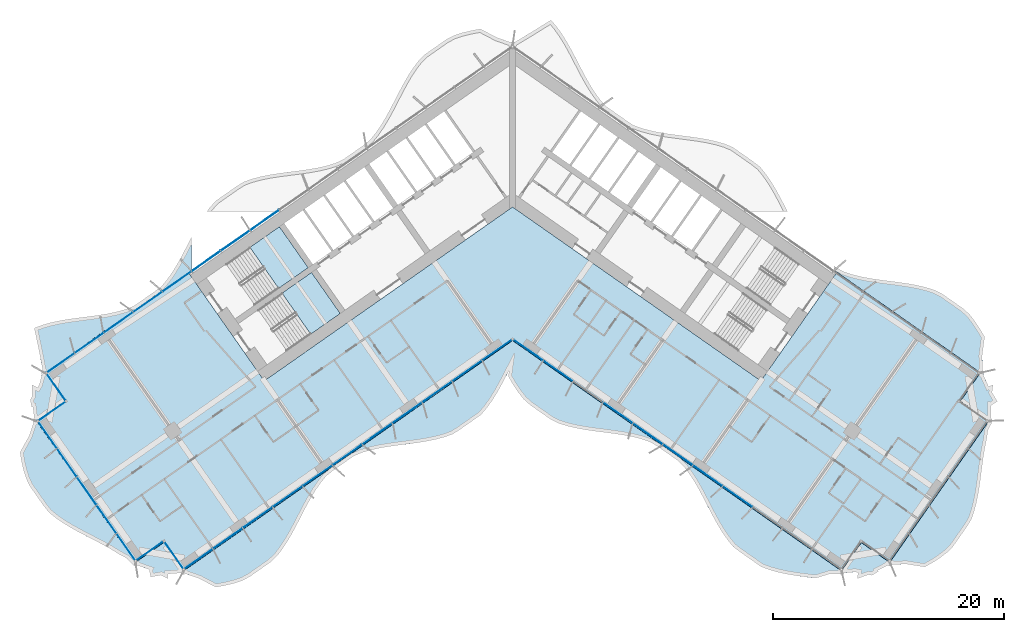
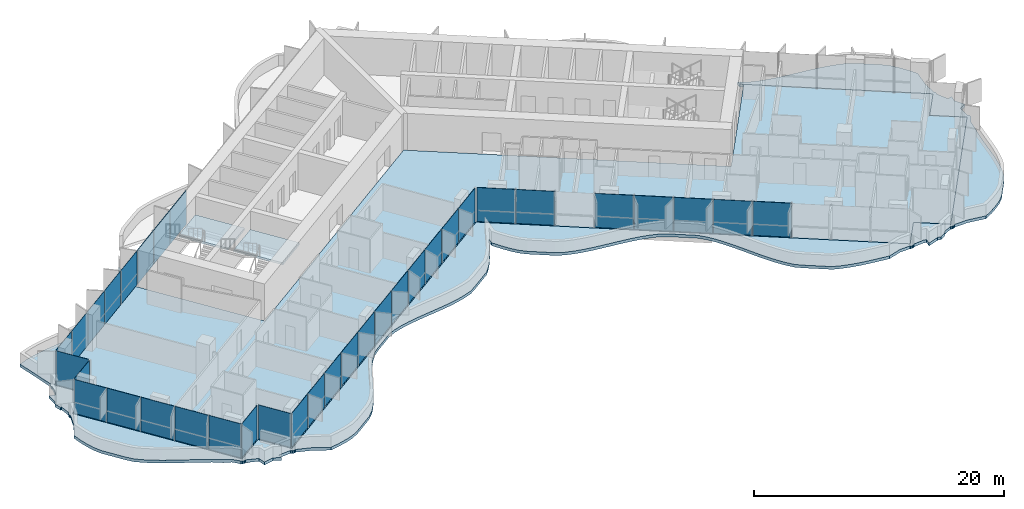
# One storey, part 10 of 23: 35 plates, 4 slabs, 4 elements without a shape of their own.
"""IFC4 building model written with IfcOpenShell, lengths in metres."""

from ifc_helpers import new_model, si_unit, direction, frame, origin, origin_2d, place, context, subcontext, project, spatial, polyline, rectangle, outline, extrude, material, layer, layer_set, type_object, element, aggregate, save


model = new_model("IFC4")

# Units and contexts
model_context = context("Model", 3, precision=1e-05, world=origin(), true_north=direction((0.0, 1.0)))
body_context = subcontext(model_context, "Body", "Model", "MODEL_VIEW")
ifc_project = project(units=[si_unit("LENGTHUNIT", "METRE"), si_unit("AREAUNIT", "SQUARE_METRE"), si_unit("VOLUMEUNIT", "CUBIC_METRE"), si_unit("PLANEANGLEUNIT", "RADIAN"), si_unit("MASSUNIT", "GRAM", prefix="KILO")], contexts=[model_context])

# Site, building, storey
site_placement = place(None, origin())
site = spatial("IfcSite", under=ifc_project, at=site_placement, CompositionType="ELEMENT")
building_placement = place(site_placement, origin())
building = spatial("IfcBuilding", under=site, at=building_placement, Name="Tel Ilan Convention Tower", CompositionType="ELEMENT")
storey_placement = place(building_placement, frame((0.0, 0.0, 119.300048828125)))
storey = spatial("IfcBuildingStorey", under=building, at=storey_placement, Name="L26", CompositionType="ELEMENT", Elevation=119.300048828125)

# Curtain wall, plates
ifc_material_1 = material(Name="Aluminium, bronze anodised", Category="aluminium")
curtain_wall_type_1 = type_object("IfcCurtainWallType", Name="CW1 UNITISED CURTAIN WALL, HOTEL TINTED GLASS", PredefinedType="NOTDEFINED", material=ifc_material_1)
curtain_wall_1_placement = place(storey_placement, origin())
curtain_wall_1 = element("IfcCurtainWall", 1, at=curtain_wall_1_placement, inside=storey, type_object=curtain_wall_type_1, Name="Curtain wall CW1-20.02", PredefinedType="NOTDEFINED")
ifc_material_2 = material(Name="Glass, bronze tinted, two-ply unitised", Category="glass")
ifc_layer_1 = layer(ifc_material_2, 0.028076171875)
ifc_layer_set_1 = layer_set([ifc_layer_1], Name="CW HOTEL GLASS PANEL 28")
plate_type_1 = type_object("IfcPlateType", Name="CW HOTEL GLASS PANEL 28", PredefinedType="CURTAIN_PANEL", material=ifc_layer_set_1)
plate_1_placement = place(storey_placement, frame((-29.1171875, -7.692138671875, 0.0), z_axis=(0.0, 0.0, 1.0), x_axis=(-0.819152044289, -0.573576436351, 0.0)))
plate_1 = element("IfcPlate", 2, at=plate_1_placement, type_object=plate_type_1, Name="Glass panel", PredefinedType="CURTAIN_PANEL", context=body_context, shape_type="SweptSolid", body=[
    extrude(rectangle(XDim=3.037109375, YDim=0.028076171875, at=origin_2d()), origin(), (0.0, 0.0, 1.0), 3.320068359375),
])
plate_2_placement = place(storey_placement, frame((-31.654296875, -9.468505859375, 0.0), z_axis=(0.0, 0.0, 1.0), x_axis=(-0.819152044289, -0.573576436351, 0.0)))
plate_2 = element("IfcPlate", 3, at=plate_2_placement, type_object=plate_type_1, Name="Glass panel", PredefinedType="CURTAIN_PANEL", context=body_context, shape_type="SweptSolid", body=[
    extrude(rectangle(XDim=3.037109375, YDim=0.028076171875, at=origin_2d()), origin(), (0.0, 0.0, 1.0), 3.320068359375),
])
plate_3_placement = place(storey_placement, frame((-34.191162109375, -11.244873046875, 0.0), z_axis=(0.0, 0.0, 1.0), x_axis=(-0.819152044289, -0.573576436351, 0.0)))
plate_3 = element("IfcPlate", 4, at=plate_3_placement, type_object=plate_type_1, Name="Glass panel", PredefinedType="CURTAIN_PANEL", context=body_context, shape_type="SweptSolid", body=[
    extrude(rectangle(XDim=3.037109375, YDim=0.028076171875, at=origin_2d()), origin(), (0.0, 0.0, 1.0), 3.320068359375),
])
plate_4_placement = place(storey_placement, frame((-36.72802734375, -13.021240234375, 0.0), z_axis=(0.0, 0.0, 1.0), x_axis=(-0.819152044289, -0.573576436351, 0.0)))
plate_4 = element("IfcPlate", 5, at=plate_4_placement, type_object=plate_type_1, Name="Glass panel", PredefinedType="CURTAIN_PANEL", context=body_context, shape_type="SweptSolid", body=[
    extrude(rectangle(XDim=3.037109375, YDim=0.028076171875, at=origin_2d()), origin(), (0.0, 0.0, 1.0), 3.320068359375),
])
plate_5_placement = place(storey_placement, frame((-39.2265625, -14.7705078125, 0.0), z_axis=(0.0, 0.0, 1.0), x_axis=(-0.819152044289, -0.573576436351, 0.0)))
plate_5 = element("IfcPlate", 6, at=plate_5_placement, type_object=plate_type_1, Name="Glass panel", PredefinedType="CURTAIN_PANEL", context=body_context, shape_type="SweptSolid", body=[
    extrude(rectangle(XDim=2.943115234375, YDim=0.028076171875, at=origin_2d()), origin(), (0.0, 0.0, 1.0), 3.320068359375),
])
plate_6_placement = place(storey_placement, frame((-39.61328125, -16.82568359375, 0.0), z_axis=(0.0, 0.0, 1.0), x_axis=(0.573576436351, -0.819152044289, 0.0)))
plate_6 = element("IfcPlate", 7, at=plate_6_placement, type_object=plate_type_1, Name="Glass panel", PredefinedType="CURTAIN_PANEL", context=body_context, shape_type="SweptSolid", body=[
    extrude(rectangle(XDim=2.875, YDim=0.028076171875, at=origin_2d()), origin(), (0.0, 0.0, 1.0), 3.320068359375),
])
plate_7_placement = place(storey_placement, frame((-39.990966796875, -18.96826171875, 0.0), z_axis=(0.0, 0.0, 1.0), x_axis=(-0.819152044289, -0.573576436351, 0.0)))
plate_7 = element("IfcPlate", 8, at=plate_7_placement, type_object=plate_type_1, Name="Glass panel", PredefinedType="CURTAIN_PANEL", context=body_context, shape_type="SweptSolid", body=[
    extrude(rectangle(XDim=2.875, YDim=0.028076171875, at=origin_2d()), origin(), (0.0, 0.0, 1.0), 3.320068359375),
])
plate_8_placement = place(storey_placement, frame((-40.358154296875, -20.991943359375, 0.0), z_axis=(0.0, 0.0, 1.0), x_axis=(0.573576436351, -0.819152044289, 0.0)))
plate_8 = element("IfcPlate", 9, at=plate_8_placement, type_object=plate_type_1, Name="Glass panel", PredefinedType="CURTAIN_PANEL", context=body_context, shape_type="SweptSolid", body=[
    extrude(rectangle(XDim=2.845947265625, YDim=0.028076171875, at=origin_2d()), origin(), (0.0, 0.0, 1.0), 3.320068359375),
])
plate_9_placement = place(storey_placement, frame((-38.66455078125, -23.410888671875, 0.0), z_axis=(0.0, 0.0, 1.0), x_axis=(0.573576436351, -0.819152044289, 0.0)))
plate_9 = element("IfcPlate", 10, at=plate_9_placement, type_object=plate_type_1, Name="Glass panel", PredefinedType="CURTAIN_PANEL", context=body_context, shape_type="SweptSolid", body=[
    extrude(rectangle(XDim=2.93994140625, YDim=0.028076171875, at=origin_2d()), origin(), (0.0, 0.0, 1.0), 3.320068359375),
])
plate_10_placement = place(storey_placement, frame((-36.94384765625, -25.868408203125, 0.0), z_axis=(0.0, 0.0, 1.0), x_axis=(0.573576436351, -0.819152044289, 0.0)))
plate_10 = element("IfcPlate", 11, at=plate_10_placement, type_object=plate_type_1, Name="Glass panel", PredefinedType="CURTAIN_PANEL", context=body_context, shape_type="SweptSolid", body=[
    extrude(rectangle(XDim=2.93994140625, YDim=0.028076171875, at=origin_2d()), origin(), (0.0, 0.0, 1.0), 3.320068359375),
])
plate_11_placement = place(storey_placement, frame((-35.22314453125, -28.32568359375, 0.0), z_axis=(0.0, 0.0, 1.0), x_axis=(0.573576436351, -0.819152044289, 0.0)))
plate_11 = element("IfcPlate", 12, at=plate_11_placement, type_object=plate_type_1, Name="Glass panel", PredefinedType="CURTAIN_PANEL", context=body_context, shape_type="SweptSolid", body=[
    extrude(rectangle(XDim=2.93994140625, YDim=0.028076171875, at=origin_2d()), origin(), (0.0, 0.0, 1.0), 3.320068359375),
])
plate_12_placement = place(storey_placement, frame((-33.529296875, -30.74462890625, 0.0), z_axis=(0.0, 0.0, 1.0), x_axis=(0.573576436351, -0.819152044289, 0.0)))
plate_12 = element("IfcPlate", 13, at=plate_12_placement, type_object=plate_type_1, Name="Glass panel", PredefinedType="CURTAIN_PANEL", context=body_context, shape_type="SweptSolid", body=[
    extrude(rectangle(XDim=2.845947265625, YDim=0.028076171875, at=origin_2d()), origin(), (0.0, 0.0, 1.0), 3.320068359375),
])
plate_13_placement = place(storey_placement, frame((-31.502197265625, -31.091796875, 0.0), z_axis=(0.0, 0.0, 1.0), x_axis=(0.819152044289, 0.573576436351, 0.0)))
plate_13 = element("IfcPlate", 14, at=plate_13_placement, type_object=plate_type_1, Name="Glass panel", PredefinedType="CURTAIN_PANEL", context=body_context, shape_type="SweptSolid", body=[
    extrude(rectangle(XDim=2.875, YDim=0.028076171875, at=origin_2d()), origin(), (0.0, 0.0, 1.0), 3.320068359375),
])
plate_14_placement = place(storey_placement, frame((-29.359375, -31.469482421875, 0.0), z_axis=(0.0, 0.0, 1.0), x_axis=(0.573576436351, -0.819152044289, 0.0)))
plate_14 = element("IfcPlate", 15, at=plate_14_placement, type_object=plate_type_1, Name="Glass panel", PredefinedType="CURTAIN_PANEL", context=body_context, shape_type="SweptSolid", body=[
    extrude(rectangle(XDim=2.875, YDim=0.028076171875, at=origin_2d()), origin(), (0.0, 0.0, 1.0), 3.320068359375),
])
plate_15_placement = place(storey_placement, frame((-27.26708984375, -31.78857421875, 0.0), z_axis=(0.0, 0.0, 1.0), x_axis=(0.819152044289, 0.573576436351, 0.0)))
plate_15 = element("IfcPlate", 16, at=plate_15_placement, type_object=plate_type_1, Name="Glass panel", PredefinedType="CURTAIN_PANEL", context=body_context, shape_type="SweptSolid", body=[
    extrude(rectangle(XDim=3.013916015625, YDim=0.028076171875, at=origin_2d()), origin(), (0.0, 0.0, 1.0), 3.320068359375),
])
plate_16_placement = place(storey_placement, frame((-24.71044921875, -29.99853515625, 0.0), z_axis=(0.0, 0.0, 1.0), x_axis=(0.819152044289, 0.573576436351, 0.0)))
plate_16 = element("IfcPlate", 17, at=plate_16_placement, type_object=plate_type_1, Name="Glass panel", PredefinedType="CURTAIN_PANEL", context=body_context, shape_type="SweptSolid", body=[
    extrude(rectangle(XDim=3.10791015625, YDim=0.028076171875, at=origin_2d()), origin(), (0.0, 0.0, 1.0), 3.320068359375),
])
plate_17_placement = place(storey_placement, frame((-22.115478515625, -28.181396484375, 0.0), z_axis=(0.0, 0.0, 1.0), x_axis=(0.819152044289, 0.573576436351, 0.0)))
plate_17 = element("IfcPlate", 18, at=plate_17_placement, type_object=plate_type_1, Name="Glass panel", PredefinedType="CURTAIN_PANEL", context=body_context, shape_type="SweptSolid", body=[
    extrude(rectangle(XDim=3.10791015625, YDim=0.028076171875, at=origin_2d()), origin(), (0.0, 0.0, 1.0), 3.320068359375),
])
plate_18_placement = place(storey_placement, frame((-19.520263671875, -26.3642578125, 0.0), z_axis=(0.0, 0.0, 1.0), x_axis=(0.819152044289, 0.573576436351, 0.0)))
plate_18 = element("IfcPlate", 19, at=plate_18_placement, type_object=plate_type_1, Name="Glass panel", PredefinedType="CURTAIN_PANEL", context=body_context, shape_type="SweptSolid", body=[
    extrude(rectangle(XDim=3.10791015625, YDim=0.028076171875, at=origin_2d()), origin(), (0.0, 0.0, 1.0), 3.320068359375),
])
plate_19_placement = place(storey_placement, frame((-16.92529296875, -24.54736328125, 0.0), z_axis=(0.0, 0.0, 1.0), x_axis=(0.819152044289, 0.573576436351, 0.0)))
plate_19 = element("IfcPlate", 20, at=plate_19_placement, type_object=plate_type_1, Name="Glass panel", PredefinedType="CURTAIN_PANEL", context=body_context, shape_type="SweptSolid", body=[
    extrude(rectangle(XDim=3.10791015625, YDim=0.028076171875, at=origin_2d()), origin(), (0.0, 0.0, 1.0), 3.320068359375),
])
plate_20_placement = place(storey_placement, frame((-14.330078125, -22.730224609375, 0.0), z_axis=(0.0, 0.0, 1.0), x_axis=(0.819152044289, 0.573576436351, 0.0)))
plate_20 = element("IfcPlate", 21, at=plate_20_placement, type_object=plate_type_1, Name="Glass panel", PredefinedType="CURTAIN_PANEL", context=body_context, shape_type="SweptSolid", body=[
    extrude(rectangle(XDim=3.10791015625, YDim=0.028076171875, at=origin_2d()), origin(), (0.0, 0.0, 1.0), 3.320068359375),
])
plate_21_placement = place(storey_placement, frame((-11.735107421875, -20.9130859375, 0.0), z_axis=(0.0, 0.0, 1.0), x_axis=(0.819152044289, 0.573576436351, 0.0)))
plate_21 = element("IfcPlate", 22, at=plate_21_placement, type_object=plate_type_1, Name="Glass panel", PredefinedType="CURTAIN_PANEL", context=body_context, shape_type="SweptSolid", body=[
    extrude(rectangle(XDim=3.10791015625, YDim=0.028076171875, at=origin_2d()), origin(), (0.0, 0.0, 1.0), 3.320068359375),
])
plate_22_placement = place(storey_placement, frame((-9.14013671875, -19.095947265625, 0.0), z_axis=(0.0, 0.0, 1.0), x_axis=(0.819152044289, 0.573576436351, 0.0)))
plate_22 = element("IfcPlate", 23, at=plate_22_placement, type_object=plate_type_1, Name="Glass panel", PredefinedType="CURTAIN_PANEL", context=body_context, shape_type="SweptSolid", body=[
    extrude(rectangle(XDim=3.10791015625, YDim=0.028076171875, at=origin_2d()), origin(), (0.0, 0.0, 1.0), 3.320068359375),
])
plate_23_placement = place(storey_placement, frame((-6.544921875, -17.27880859375, 0.0), z_axis=(0.0, 0.0, 1.0), x_axis=(0.819152044289, 0.573576436351, 0.0)))
plate_23 = element("IfcPlate", 24, at=plate_23_placement, type_object=plate_type_1, Name="Glass panel", PredefinedType="CURTAIN_PANEL", context=body_context, shape_type="SweptSolid", body=[
    extrude(rectangle(XDim=3.10791015625, YDim=0.028076171875, at=origin_2d()), origin(), (0.0, 0.0, 1.0), 3.320068359375),
])
plate_24_placement = place(storey_placement, frame((-3.949951171875, -15.4619140625, 0.0), z_axis=(0.0, 0.0, 1.0), x_axis=(0.819152044289, 0.573576436351, 0.0)))
plate_24 = element("IfcPlate", 25, at=plate_24_placement, type_object=plate_type_1, Name="Glass panel", PredefinedType="CURTAIN_PANEL", context=body_context, shape_type="SweptSolid", body=[
    extrude(rectangle(XDim=3.10791015625, YDim=0.028076171875, at=origin_2d()), origin(), (0.0, 0.0, 1.0), 3.320068359375),
])
plate_25_placement = place(storey_placement, frame((-1.355224609375, -13.64501953125, 0.0), z_axis=(0.0, 0.0, 1.0), x_axis=(0.819152044289, 0.573576436351, 0.0)))
plate_25 = element("IfcPlate", 26, at=plate_25_placement, type_object=plate_type_1, Name="Glass panel", PredefinedType="CURTAIN_PANEL", context=body_context, shape_type="SweptSolid", body=[
    extrude(rectangle(XDim=3.10693359375, YDim=0.028076171875, at=origin_2d()), origin(), (0.0, 0.0, 1.0), 3.320068359375),
])
plate_26_placement = place(storey_placement, frame((1.366943359375, -13.653076171875, 0.0), z_axis=(0.0, 0.0, 1.0), x_axis=(0.819152044289, -0.573576436351, 0.0)))
plate_26 = element("IfcPlate", 27, at=plate_26_placement, type_object=plate_type_1, Name="Glass panel", PredefinedType="CURTAIN_PANEL", context=body_context, shape_type="SweptSolid", body=[
    extrude(rectangle(XDim=3.078857421875, YDim=0.028076171875, at=origin_2d()), origin(), (0.0, 0.0, 1.0), 3.320068359375),
])
plate_27_placement = place(storey_placement, frame((3.949951171875, -15.4619140625, 0.0), z_axis=(0.0, 0.0, 1.0), x_axis=(0.819152044289, -0.573576436351, 0.0)))
plate_27 = element("IfcPlate", 28, at=plate_27_placement, type_object=plate_type_1, Name="Glass panel", PredefinedType="CURTAIN_PANEL", context=body_context, shape_type="SweptSolid", body=[
    extrude(rectangle(XDim=3.10791015625, YDim=0.028076171875, at=origin_2d()), origin(), (0.0, 0.0, 1.0), 3.320068359375),
])
plate_28_placement = place(storey_placement, frame((9.14013671875, -19.095947265625, 0.0), z_axis=(0.0, 0.0, 1.0), x_axis=(0.819152044289, -0.573576436351, 0.0)))
plate_28 = element("IfcPlate", 29, at=plate_28_placement, type_object=plate_type_1, Name="Glass panel", PredefinedType="CURTAIN_PANEL", context=body_context, shape_type="SweptSolid", body=[
    extrude(rectangle(XDim=3.10791015625, YDim=0.028076171875, at=origin_2d()), origin(), (0.0, 0.0, 1.0), 3.320068359375),
])
plate_29_placement = place(storey_placement, frame((11.735107421875, -20.9130859375, 0.0), z_axis=(0.0, 0.0, 1.0), x_axis=(0.819152044289, -0.573576436351, 0.0)))
plate_29 = element("IfcPlate", 30, at=plate_29_placement, type_object=plate_type_1, Name="Glass panel", PredefinedType="CURTAIN_PANEL", context=body_context, shape_type="SweptSolid", body=[
    extrude(rectangle(XDim=3.10791015625, YDim=0.028076171875, at=origin_2d()), origin(), (0.0, 0.0, 1.0), 3.320068359375),
])
plate_30_placement = place(storey_placement, frame((14.330078125, -22.730224609375, 0.0), z_axis=(0.0, 0.0, 1.0), x_axis=(0.819152044289, -0.573576436351, 0.0)))
plate_30 = element("IfcPlate", 31, at=plate_30_placement, type_object=plate_type_1, Name="Glass panel", PredefinedType="CURTAIN_PANEL", context=body_context, shape_type="SweptSolid", body=[
    extrude(rectangle(XDim=3.10791015625, YDim=0.028076171875, at=origin_2d()), origin(), (0.0, 0.0, 1.0), 3.320068359375),
])
plate_31_placement = place(storey_placement, frame((16.92529296875, -24.54736328125, 0.0), z_axis=(0.0, 0.0, 1.0), x_axis=(0.819152044289, -0.573576436351, 0.0)))
plate_31 = element("IfcPlate", 32, at=plate_31_placement, type_object=plate_type_1, Name="Glass panel", PredefinedType="CURTAIN_PANEL", context=body_context, shape_type="SweptSolid", body=[
    extrude(rectangle(XDim=3.10791015625, YDim=0.028076171875, at=origin_2d()), origin(), (0.0, 0.0, 1.0), 3.320068359375),
])
plate_32_placement = place(storey_placement, frame((19.520263671875, -26.3642578125, 0.0), z_axis=(0.0, 0.0, 1.0), x_axis=(0.819152044289, -0.573576436351, 0.0)))
plate_32 = element("IfcPlate", 33, at=plate_32_placement, type_object=plate_type_1, Name="Glass panel", PredefinedType="CURTAIN_PANEL", context=body_context, shape_type="SweptSolid", body=[
    extrude(rectangle(XDim=3.10791015625, YDim=0.028076171875, at=origin_2d()), origin(), (0.0, 0.0, 1.0), 3.320068359375),
])
aggregate(curtain_wall_1, [plate_1, plate_2, plate_3, plate_4, plate_5, plate_6, plate_7, plate_8, plate_9, plate_10, plate_11, plate_12, plate_13, plate_14, plate_15, plate_16, plate_17, plate_18, plate_19, plate_20, plate_21, plate_22, plate_23, plate_24, plate_25, plate_26, plate_27, plate_28, plate_29, plate_30, plate_31, plate_32])

ifc_material_3 = material(Name="Aluminium, bronze anodised", Category="aluminium")
curtain_wall_type_2 = type_object("IfcCurtainWallType", Name="CW2 STICK CURTAIN WALL, SPANDREL PANELS", PredefinedType="NOTDEFINED", material=ifc_material_3)
curtain_wall_2_placement = place(storey_placement, origin())
curtain_wall_2 = element("IfcCurtainWall", 34, at=curtain_wall_2_placement, inside=storey, type_object=curtain_wall_type_2, Name="Curtain wall CW2-20.01", PredefinedType="NOTDEFINED")
ifc_material_4 = material(Name="Aluminium composite panel, bronze anodised", Category="aluminium")
ifc_layer_2 = layer(ifc_material_4, 0.06005859375)
ifc_layer_set_2 = layer_set([ifc_layer_2], Name="CW SPANDREL PANEL 60")
plate_type_2 = type_object("IfcPlateType", Name="CW SPANDREL PANEL 60", PredefinedType="CURTAIN_PANEL", material=ifc_layer_set_2)
plate_33_placement = place(storey_placement, frame((-21.506591796875, -2.363037109375, 0.0), z_axis=(0.0, 0.0, 1.0), x_axis=(-0.819152044289, -0.573576436351, 0.0)))
plate_33 = element("IfcPlate", 35, at=plate_33_placement, type_object=plate_type_2, Name="Spandrel panel", PredefinedType="CURTAIN_PANEL", context=body_context, shape_type="SweptSolid", body=[
    extrude(rectangle(XDim=3.037109375, YDim=0.06005859375, at=origin_2d()), origin(), (0.0, 0.0, 1.0), 3.320068359375),
])
plate_34_placement = place(storey_placement, frame((-24.04345703125, -4.139404296875, 0.0), z_axis=(0.0, 0.0, 1.0), x_axis=(-0.819152044289, -0.573576436351, 0.0)))
plate_34 = element("IfcPlate", 36, at=plate_34_placement, type_object=plate_type_2, Name="Spandrel panel", PredefinedType="CURTAIN_PANEL", context=body_context, shape_type="SweptSolid", body=[
    extrude(rectangle(XDim=3.037109375, YDim=0.06005859375, at=origin_2d()), origin(), (0.0, 0.0, 1.0), 3.320068359375),
])
plate_35_placement = place(storey_placement, frame((-26.580322265625, -5.915771484375, 0.0), z_axis=(0.0, 0.0, 1.0), x_axis=(-0.819152044289, -0.573576436351, 0.0)))
plate_35 = element("IfcPlate", 37, at=plate_35_placement, type_object=plate_type_2, Name="Spandrel panel", PredefinedType="CURTAIN_PANEL", context=body_context, shape_type="SweptSolid", body=[
    extrude(rectangle(XDim=3.037109375, YDim=0.06005859375, at=origin_2d()), origin(), (0.0, 0.0, 1.0), 3.320068359375),
])
aggregate(curtain_wall_2, [plate_33, plate_34, plate_35])

# Stair, slab
ifc_material_5 = material(Name="Concrete C40/50", Category="concrete")
stair_type = type_object("IfcStairType", Name="Pressurised Exit Stair 20 risers 180 mm", PredefinedType="HALF_TURN_STAIR", material=ifc_material_5)
stair_1_placement = place(storey_placement, origin())
stair_1 = element("IfcStair", 38, at=stair_1_placement, inside=storey, type_object=stair_type, Name="L26 Pressurised Stair S1", PredefinedType="HALF_TURN_STAIR")
ifc_material_6 = material(Name="Concrete C40/50", Category="concrete")
ifc_layer_3 = layer(ifc_material_6, 0.199951171875)
ifc_layer_set_3 = layer_set([ifc_layer_3], Name="Concrete Stair Landing 200 mm C40/50")
slab_type_1 = type_object("IfcSlabType", Name="Concrete Stair Landing 200 mm", PredefinedType="LANDING", material=ifc_layer_set_3)
slab_1_placement = place(storey_placement, frame((0.0, 0.0, 1.599853515625)))
slab_1 = element("IfcSlab", 39, at=slab_1_placement, type_object=slab_type_1, Name="S1 landing 1", PredefinedType="LANDING", context=body_context, shape_type="SweptSolid", body=[
    extrude(outline(polyline([(-20.2958984375, -8.29052734375), (-17.7314453125, -6.494873046875), (-20.226318359375, -2.931640625), (-22.791015625, -4.727294921875), (-20.2958984375, -8.29052734375)])), origin(), (0.0, 0.0, 1.0), 0.2001953125),
])
aggregate(stair_1, [slab_1])

stair_2_placement = place(storey_placement, origin())
stair_2 = element("IfcStair", 40, at=stair_2_placement, inside=storey, type_object=stair_type, Name="L26 Pressurised Stair S2", PredefinedType="HALF_TURN_STAIR")
slab_2_placement = place(storey_placement, frame((0.0, 0.0, 1.599853515625)))
slab_2 = element("IfcSlab", 41, at=slab_2_placement, type_object=slab_type_1, Name="S2 landing 1", PredefinedType="LANDING", context=body_context, shape_type="SweptSolid", body=[
    extrude(outline(polyline([(-17.51416015625, -12.263427734375), (-14.949462890625, -10.4677734375), (-17.444580078125, -6.904541015625), (-20.00927734375, -8.7001953125), (-17.51416015625, -12.263427734375)])), origin(), (0.0, 0.0, 1.0), 0.2001953125),
])
aggregate(stair_2, [slab_2])

# Slabs
ifc_material_7 = material(Name="Concrete C40/50", Category="concrete")
ifc_layer_4 = layer(ifc_material_7, 0.280029296875)
ifc_layer_set_4 = layer_set([ifc_layer_4], Name="Edge Ledge Slab 280 mm C40/50")
slab_type_2 = type_object("IfcSlabType", Name="Edge Ledge Slab 280 mm C40/50", PredefinedType="FLOOR", material=ifc_layer_set_4)
slab_3_placement = place(storey_placement, frame((0.0, 0.0, -0.280029296875)))
element("IfcSlab", 42, at=slab_3_placement, inside=storey, type_object=slab_type_2, Name="L26 edge ledge 1", PredefinedType="FLOOR", context=body_context, shape_type="SweptSolid", body=[
    extrude(outline(polyline([(-41.327392578125, -19.781982421875), (-32.723876953125, -32.0693359375), (-30.266357421875, -30.3486328125), (-30.09423828125, -30.59423828125), (-28.714599609375, -32.56494140625), (-28.545654296875, -32.805908203125), (0.0, -12.818115234375), (28.545654296875, -32.805908203125), (28.712890625, -32.567138671875), (30.09423828125, -30.59423828125), (30.266357421875, -30.3486328125), (32.723876953125, -32.0693359375), (41.327392578125, -19.781982421875), (41.08837890625, -19.61474609375), (40.098876953125, -18.921630859375), (38.8701171875, -18.061279296875), (40.5908203125, -15.603759765625), (27.875, -6.7001953125), (27.875, -6.333740234375), (28.040283203125, -6.44970703125), (28.68408203125, -6.820068359375), (29.414794921875, -7.0654296875), (30.181884765625, -7.259521484375), (30.97802734375, -7.412109375), (31.79443359375, -7.535400390625), (32.6220703125, -7.64306640625), (33.450927734375, -7.748779296875), (34.27099609375, -7.86669921875), (35.072998046875, -8.0107421875), (35.84814453125, -8.193115234375), (36.5888671875, -8.4248046875), (37.260498046875, -8.755126953125), (39.077880859375, -10.027587890625), (39.63232421875, -10.525390625), (40.108154296875, -11.13525390625), (40.548583984375, -11.795654296875), (40.96044921875, -12.496826171875), (40.743408203125, -14.096435546875), (40.7626953125, -15.358154296875), (40.759521484375, -15.36279296875), (40.802978515625, -15.3916015625), (40.867919921875, -15.489013671875), (40.890869140625, -15.603759765625), (40.867919921875, -15.718505859375), (40.831787109375, -15.772705078125), (40.83642578125, -15.77587890625), (41.29638671875, -16.79443359375), (41.686767578125, -16.65380859375), (41.602294921875, -17.322509765625), (42.063720703125, -18.10009765625), (41.508056640625, -18.443603515625), (41.487548828125, -18.439453125), (41.49951171875, -19.536376953125), (41.496337890625, -19.541015625), (41.53955078125, -19.56982421875), (41.604736328125, -19.667236328125), (41.62744140625, -19.781982421875), (41.604736328125, -19.896728515625), (41.568603515625, -19.95068359375), (41.5732421875, -19.9541015625), (41.24267578125, -20.594482421875), (41.12841796875, -21.386474609375), (40.97021484375, -22.147705078125), (40.841064453125, -22.929443359375), (40.732421875, -23.72509765625), (40.631103515625, -24.5263671875), (40.52490234375, -25.323974609375), (40.40087890625, -26.10888671875), (40.247314453125, -26.87353515625), (40.0537109375, -27.60986328125), (39.810791015625, -28.311767578125), (39.44189453125, -28.925537109375), (38.212890625, -30.680908203125), (37.701904296875, -31.195068359375), (37.104736328125, -31.64892578125), (36.4619140625, -32.07080078125), (35.769775390625, -32.4580078125), (34.16845703125, -32.208740234375), (32.969482421875, -32.241455078125), (32.96484375, -32.238037109375), (32.93603515625, -32.281494140625), (32.838623046875, -32.346435546875), (32.723876953125, -32.369384765625), (32.60888671875, -32.346435546875), (32.554931640625, -32.310302734375), (32.5517578125, -32.31494140625), (31.685546875, -32.75439453125), (31.7392578125, -32.8447265625), (31.18359375, -33.188232421875), (30.877685546875, -33.126708984375), (29.9072265625, -33.476806640625), (29.97412109375, -32.9453125), (29.716796875, -32.8935546875), (28.79150390625, -32.97802734375), (28.78662109375, -32.974853515625), (28.7578125, -33.018310546875), (28.660400390625, -33.083251953125), (28.545654296875, -33.10595703125), (28.430908203125, -33.083251953125), (28.376953125, -33.047119140625), (28.37353515625, -33.0517578125), (27.44921875, -33.079345703125), (26.29443359375, -33.435546875), (25.462646484375, -33.3310546875), (24.635986328125, -33.218994140625), (23.824462890625, -33.08544921875), (23.03662109375, -32.91748046875), (22.281005859375, -32.7041015625), (21.564697265625, -32.434814453125), (19.742431640625, -31.158935546875), (19.1513671875, -30.71044921875), (18.660888671875, -30.1181640625), (18.2080078125, -29.47216796875), (17.785888671875, -28.782470703125), (17.38623046875, -28.060546875), (16.999755859375, -27.31982421875), (16.61669921875, -26.574462890625), (16.2265625, -25.838623046875), (15.8203125, -25.12646484375), (15.388427734375, -24.450439453125), (14.92333984375, -23.822021484375), (14.404296875, -23.2705078125), (12.58251953125, -21.99462890625), (11.9423828125, -21.61572265625), (11.211669921875, -21.366943359375), (10.444091796875, -21.17041015625), (9.647216796875, -21.015625), (8.829345703125, -20.89111328125), (8.0, -20.782958984375), (7.1689453125, -20.677001953125), (6.34619140625, -20.559326171875), (5.54150390625, -20.416015625), (4.763427734375, -20.234375), (4.02001953125, -20.003662109375), (3.343994140625, -19.676513671875), (1.52197265625, -18.400634765625), (0.964599609375, -17.90380859375), (0.4873046875, -17.293212890625), (0.04541015625, -16.631591796875), (-0.367919921875, -15.928955078125), (-0.29345703125, -15.373291015625), (-0.56103515625, -15.89501953125), (-0.94921875, -16.63330078125), (-1.352294921875, -17.350341796875), (-1.779296875, -18.032958984375), (-2.23828125, -18.669921875), (-2.736572265625, -19.251220703125), (-4.55859375, -20.527099609375), (-5.18212890625, -20.92919921875), (-5.906494140625, -21.1875), (-6.66845703125, -21.39208984375), (-7.4609375, -21.552734375), (-8.27587890625, -21.681396484375), (-9.104248046875, -21.791259765625), (-9.935791015625, -21.896484375), (-10.760498046875, -22.01123046875), (-11.56884765625, -22.1494140625), (-12.351806640625, -22.32421875), (-13.101318359375, -22.546142578125), (-13.797119140625, -22.84521484375), (-15.619140625, -24.12109375), (-16.194091796875, -24.5927734375), (-16.677734375, -25.1943359375), (-17.125, -25.848388671875), (-17.54296875, -26.544189453125), (-17.939697265625, -27.270263671875), (-18.3251953125, -28.0126953125), (-18.708740234375, -28.75732421875), (-19.1005859375, -29.490234375), (-19.510498046875, -30.197509765625), (-19.947509765625, -30.8662109375), (-20.41845703125, -31.486083984375), (-20.957275390625, -32.009521484375), (-22.779296875, -33.28515625), (-23.436767578125, -33.638916015625), (-24.174072265625, -33.87890625), (-24.94677734375, -34.067626953125), (-25.748291015625, -34.2158203125), (-27.177490234375, -33.46728515625), (-28.37353515625, -33.0517578125), (-28.376953125, -33.047119140625), (-28.430908203125, -33.083251953125), (-28.545654296875, -33.10595703125), (-28.660400390625, -33.083251953125), (-28.7578125, -33.018310546875), (-28.78662109375, -32.974853515625), (-28.79150390625, -32.97802734375), (-29.906005859375, -33.06201171875), (-29.9072265625, -33.476806640625), (-30.5068359375, -33.168701171875), (-31.39501953125, -33.336181640625), (-31.52783203125, -32.69677734375), (-31.51708984375, -32.678955078125), (-32.5517578125, -32.31494140625), (-32.554931640625, -32.310302734375), (-32.60888671875, -32.346435546875), (-32.723876953125, -32.369384765625), (-32.838623046875, -32.346435546875), (-32.93603515625, -32.281494140625), (-32.96484375, -32.238037109375), (-32.969482421875, -32.241455078125), (-33.458251953125, -31.711669921875), (-34.16357421875, -31.33349609375), (-34.82470703125, -30.92431640625), (-35.514892578125, -30.535888671875), (-36.2255859375, -30.161376953125), (-36.94384765625, -29.792236328125), (-37.656982421875, -29.419677734375), (-38.352294921875, -29.03466796875), (-39.018310546875, -28.62890625), (-39.643798828125, -28.195068359375), (-40.220458984375, -27.726806640625), (-40.671142578125, -27.170166015625), (-41.900146484375, -25.414794921875), (-42.20849609375, -24.7587890625), (-42.430908203125, -24.04248046875), (-42.607421875, -23.294189453125), (-42.734619140625, -22.51123046875), (-41.95263671875, -21.091796875), (-41.5732421875, -19.9541015625), (-41.568603515625, -19.95068359375), (-41.604736328125, -19.896728515625), (-41.62744140625, -19.781982421875), (-41.604736328125, -19.667236328125), (-41.53955078125, -19.56982421875), (-41.496337890625, -19.541015625), (-41.49951171875, -19.536376953125), (-41.6162109375, -18.572021484375), (-41.719482421875, -18.591552734375), (-41.852294921875, -17.9521484375), (-41.68994140625, -17.685546875), (-41.686767578125, -16.65380859375), (-41.210205078125, -16.898681640625), (-41.073486328125, -16.67431640625), (-40.83642578125, -15.77587890625), (-40.831787109375, -15.772705078125), (-40.867919921875, -15.718505859375), (-40.890869140625, -15.603759765625), (-40.867919921875, -15.489013671875), (-40.802978515625, -15.3916015625), (-40.759521484375, -15.36279296875), (-40.7626953125, -15.358154296875), (-41.11181640625, -13.5703125), (-41.499267578125, -11.727294921875), (-40.784912109375, -11.45849609375), (-40.03076171875, -11.24609375), (-39.244873046875, -11.078857421875), (-38.43505859375, -10.94580078125), (-37.610595703125, -10.833984375), (-36.781005859375, -10.729248046875), (-35.956298828125, -10.61767578125), (-35.146240234375, -10.485107421875), (-34.360107421875, -10.318603515625), (-33.60546875, -10.106689453125), (-32.88916015625, -9.84033203125), (-32.28125, -9.419189453125), (-31.069580078125, -8.57080078125), (-30.476318359375, -8.128662109375), (-29.9853515625, -7.540283203125), (-29.5322265625, -6.89794921875), (-29.10986328125, -6.211669921875), (-28.71044921875, -5.492919921875), (-28.324462890625, -4.754638671875), (-27.9423828125, -4.010986328125), (-27.875, -3.88330078125), (-27.875, -6.7001953125), (-40.5908203125, -15.603759765625), (-38.8701171875, -18.061279296875), (-40.098876953125, -18.921630859375), (-41.08642578125, -19.61328125), (-41.327392578125, -19.781982421875)])), origin(), (0.0, 0.0, 1.0), 0.280029296875),
])
ifc_material_8 = material(Name="Concrete C40/50", Category="concrete")
ifc_layer_5 = layer(ifc_material_8, 0.280029296875)
ifc_layer_set_5 = layer_set([ifc_layer_5], Name="Flat Plate Floor Slab 280 mm C40/50")
slab_type_3 = type_object("IfcSlabType", Name="Flat Plate Floor Slab 280 mm C40/50", PredefinedType="FLOOR", material=ifc_layer_set_5)
slab_4_placement = place(storey_placement, frame((0.0, 0.0, -0.280029296875)))
element("IfcSlab", 43, at=slab_4_placement, inside=storey, type_object=slab_type_3, Name="L26 floor slab", PredefinedType="FLOOR", context=body_context, shape_type="SweptSolid", body=[
    extrude(outline(polyline([(41.08642578125, -19.61328125), (41.327392578125, -19.781982421875), (32.723876953125, -32.0693359375), (30.266357421875, -30.3486328125), (30.09423828125, -30.59423828125), (28.714599609375, -32.56494140625), (28.545654296875, -32.805908203125), (0.0, -12.818115234375), (-28.545654296875, -32.805908203125), (-28.714599609375, -32.56494140625), (-30.09423828125, -30.59423828125), (-30.266357421875, -30.3486328125), (-32.723876953125, -32.0693359375), (-41.327392578125, -19.781982421875), (-41.08642578125, -19.61328125), (-40.098876953125, -18.921630859375), (-38.8701171875, -18.061279296875), (-40.5908203125, -15.603759765625), (-28.1396484375, -6.885498046875), (-21.54345703125, -16.3056640625), (0.0, -1.220703125), (21.54345703125, -16.3056640625), (28.1396484375, -6.885498046875), (40.5908203125, -15.603759765625), (38.8701171875, -18.061279296875), (40.098876953125, -18.921630859375), (41.08642578125, -19.61328125)])), origin(), (0.0, 0.0, 1.0), 0.280029296875),
])

save(model, "model.ifc")
